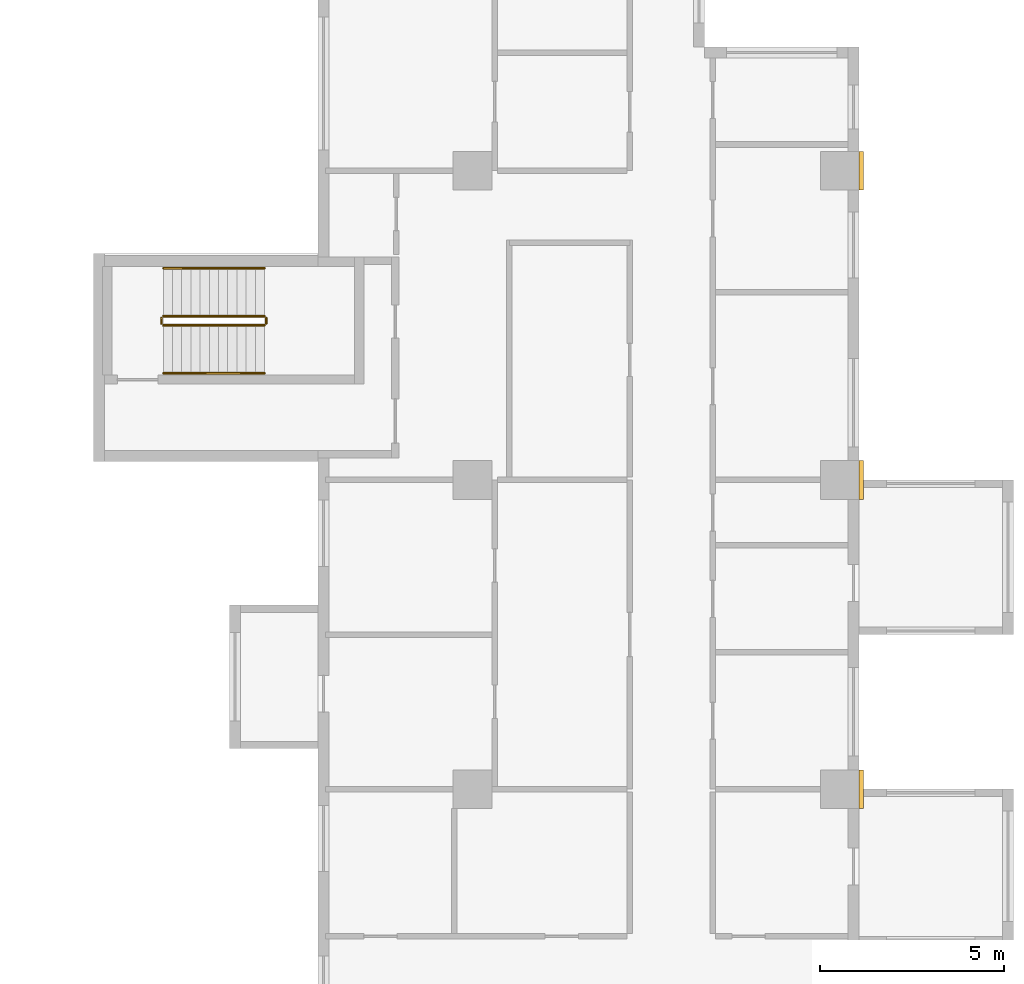
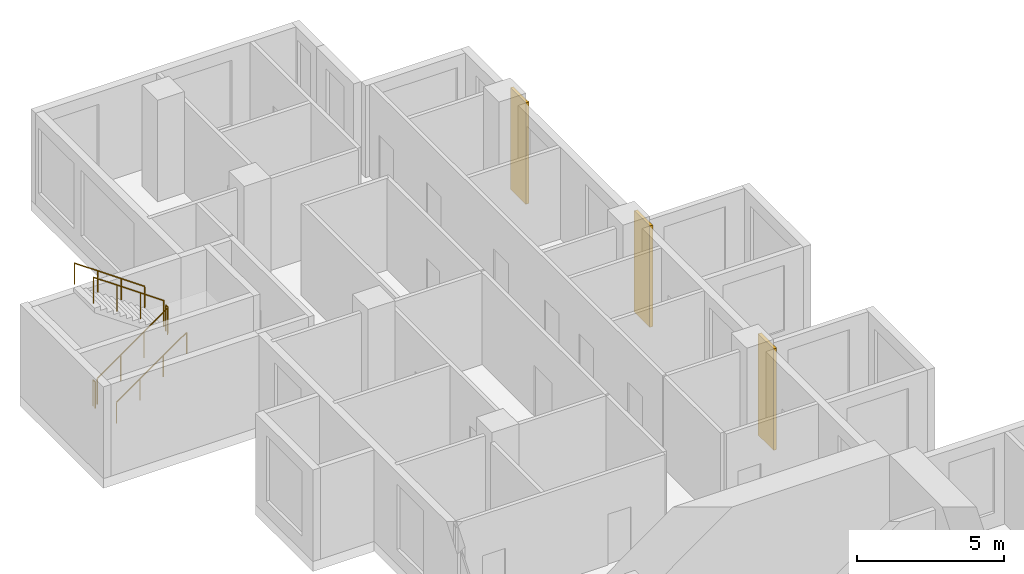
# One storey, part 14 of 15: 6 railings, 3 coverings.
"""IFC4 building model written with IfcOpenShell, lengths in metres."""

from ifc_helpers import new_model, si_unit, direction, frame, origin, origin_2d, place, context, subcontext, project, spatial, rectangle, circle, extrude, source, transform, mapped, material, type_object, element, save


model = new_model("IFC4")

# Units and contexts
model_context = context("Model", 3, precision=1e-05, world=origin(), true_north=direction((0.0, 1.0)))
body_context = subcontext(model_context, "Body", "Model", "MODEL_VIEW")
ifc_project = project(units=[si_unit("LENGTHUNIT", "METRE"), si_unit("AREAUNIT", "SQUARE_METRE"), si_unit("VOLUMEUNIT", "CUBIC_METRE"), si_unit("PLANEANGLEUNIT", "RADIAN"), si_unit("MASSUNIT", "GRAM", prefix="KILO")], contexts=[model_context])

# Site, building, storey
site_placement = place(None, origin())
site = spatial("IfcSite", under=ifc_project, at=site_placement, CompositionType="ELEMENT")
building_placement = place(site_placement, origin())
building = spatial("IfcBuilding", under=site, at=building_placement, Name="Aurelian Terraces", CompositionType="ELEMENT")
storey_placement = place(building_placement, frame((0.0, 0.0, 107.7)))
storey = spatial("IfcBuildingStorey", under=building, at=storey_placement, Name="L23", CompositionType="ELEMENT", Elevation=107.7)

# Coverings
ifc_material_1 = material(Name="Terracotta rainscreen cladding relief", Category="masonry")
covering_type = type_object("IfcCoveringType", Name="BAGUETTE-TC", PredefinedType="CLADDING", material=ifc_material_1)
shared_shape_1 = source(origin(), body_context, "Body", "SweptSolid", [
    extrude(rectangle(XDim=0.12, YDim=1.05, at=origin_2d()), origin(), (0.0, 0.0, 1.0), 4.2),
])
for number, where, z_axis, x_axis, name in (
    (1, (21.06, 29.4, -0.4), (0.0, 0.0, 1.0), (1.0, 0.0, 0.0), "BAGUETTE pier L23 10"),
    (2, (21.06, 37.8, -0.4), (0.0, 0.0, 1.0), (1.0, 0.0, 0.0), "BAGUETTE pier L23 11"),
    (3, (21.06, 46.2, -0.4), (0.0, 0.0, 1.0), (1.0, 0.0, 0.0), "BAGUETTE pier L23 12"),
):
    element("IfcCovering", number, at=place(storey_placement, frame(where, z_axis=z_axis, x_axis=x_axis)), inside=storey, type_object=covering_type, Name=name, PredefinedType="CLADDING", context=body_context, shape_type="MappedRepresentation", body=[
        mapped(shared_shape_1, transform((0.0, 0.0, 0.0), scale=1.0)),
    ])

# Railings
ifc_material_2 = material(Name="Stainless steel", Category="steel")
railing_type_1 = type_object("IfcRailingType", Name="Stair guard 1100", PredefinedType="GUARDRAIL", material=ifc_material_2)
shared_shape_2 = source(origin(), body_context, "Body", "SweptSolid", [
    extrude(circle(Radius=0.024, at=origin_2d()), frame((0.0, 0.0, 1.076), z_axis=(0.0, 1.0, 0.0), x_axis=(-1.0, 0.0, 0.0)), (0.0, 0.0, 1.0), 0.15),
    extrude(circle(Radius=0.021, at=origin_2d()), origin(), (0.0, 0.0, 1.0), 1.052),
    extrude(circle(Radius=0.021, at=origin_2d()), frame((0.0, 0.15, 0.0)), (0.0, 0.0, 1.0), 1.052),
])
for number, where, name in (
    (4, (4.9, 42.05, 2.1), "L23 S3 stair guard 2"),
    (5, (2.05, 42.05, 0.0), "L23 S3 stair guard 4"),
):
    element("IfcRailing", number, at=place(storey_placement, frame(where)), inside=storey, type_object=railing_type_1, Name=name, PredefinedType="GUARDRAIL", context=body_context, shape_type="MappedRepresentation", body=[
        mapped(shared_shape_2, transform((0.0, 0.0, 0.0), scale=1.0)),
    ])
shared_shape_3 = source(origin(), body_context, "Body", "SweptSolid", [
    extrude(circle(Radius=0.024, at=origin_2d()), frame((0.0, 0.0, 1.076), z_axis=(0.819231920519, 0.0, 0.573462344363), x_axis=(0.0, 1.0, 0.0)), (0.0, 0.0, 1.0), 3.3568),
    extrude(circle(Radius=0.021, at=origin_2d()), origin(), (0.0, 0.0, 1.0), 1.052),
    extrude(circle(Radius=0.021, at=origin_2d()), frame((0.9167, 0.0, 0.6417)), (0.0, 0.0, 1.0), 1.052),
    extrude(circle(Radius=0.021, at=origin_2d()), frame((1.8333, 0.0, 1.2833)), (0.0, 0.0, 1.0), 1.052),
    extrude(circle(Radius=0.021, at=origin_2d()), frame((2.75, 0.0, 1.925)), (0.0, 0.0, 1.0), 1.052),
])
railing_1_placement = place(storey_placement, frame((2.1, 42.0, 0.175)))
element("IfcRailing", 6, at=railing_1_placement, inside=storey, type_object=railing_type_1, Name="L23 S3 stair guard 1", PredefinedType="GUARDRAIL", context=body_context, shape_type="MappedRepresentation", body=[
    mapped(shared_shape_3, transform((0.0, 0.0, 0.0), scale=1.0)),
])
shared_shape_4 = source(origin(), body_context, "Body", "SweptSolid", [
    extrude(circle(Radius=0.024, at=origin_2d()), frame((0.0, 0.0, 1.076), z_axis=(-0.819231920519, 0.0, 0.573462344363), x_axis=(0.0, -1.0, 0.0)), (0.0, 0.0, 1.0), 3.3568),
    extrude(circle(Radius=0.021, at=origin_2d()), origin(), (0.0, 0.0, 1.0), 1.052),
    extrude(circle(Radius=0.021, at=origin_2d()), frame((-0.9167, 0.0, 0.6417)), (0.0, 0.0, 1.0), 1.052),
    extrude(circle(Radius=0.021, at=origin_2d()), frame((-1.8333, 0.0, 1.2833)), (0.0, 0.0, 1.0), 1.052),
    extrude(circle(Radius=0.021, at=origin_2d()), frame((-2.75, 0.0, 1.925)), (0.0, 0.0, 1.0), 1.052),
])
railing_2_placement = place(storey_placement, frame((4.85, 42.25, 2.275)))
element("IfcRailing", 7, at=railing_2_placement, inside=storey, type_object=railing_type_1, Name="L23 S3 stair guard 3", PredefinedType="GUARDRAIL", context=body_context, shape_type="MappedRepresentation", body=[
    mapped(shared_shape_4, transform((0.0, 0.0, 0.0), scale=1.0)),
])
railing_type_2 = type_object("IfcRailingType", Name="Stair handrail", PredefinedType="HANDRAIL", material=ifc_material_2)
shared_shape_5 = source(origin(), body_context, "Body", "SweptSolid", [
    extrude(circle(Radius=0.024, at=origin_2d()), frame((0.0, 0.0, 0.876), z_axis=(0.819231920519, 0.0, 0.573462344363), x_axis=(0.0, 1.0, 0.0)), (0.0, 0.0, 1.0), 3.3568),
    extrude(circle(Radius=0.021, at=origin_2d()), origin(), (0.0, 0.0, 1.0), 0.852),
    extrude(circle(Radius=0.021, at=origin_2d()), frame((0.9167, 0.0, 0.6417)), (0.0, 0.0, 1.0), 0.852),
    extrude(circle(Radius=0.021, at=origin_2d()), frame((1.8333, 0.0, 1.2833)), (0.0, 0.0, 1.0), 0.852),
    extrude(circle(Radius=0.021, at=origin_2d()), frame((2.75, 0.0, 1.925)), (0.0, 0.0, 1.0), 0.852),
])
railing_3_placement = place(storey_placement, frame((2.1, 40.7, 0.175)))
element("IfcRailing", 8, at=railing_3_placement, inside=storey, type_object=railing_type_2, Name="L23 S3 stair handrail 1", PredefinedType="HANDRAIL", context=body_context, shape_type="MappedRepresentation", body=[
    mapped(shared_shape_5, transform((0.0, 0.0, 0.0), scale=1.0)),
])
shared_shape_6 = source(origin(), body_context, "Body", "SweptSolid", [
    extrude(circle(Radius=0.024, at=origin_2d()), frame((0.0, 0.0, 0.876), z_axis=(-0.819231920519, 0.0, 0.573462344363), x_axis=(0.0, -1.0, 0.0)), (0.0, 0.0, 1.0), 3.3568),
    extrude(circle(Radius=0.021, at=origin_2d()), origin(), (0.0, 0.0, 1.0), 0.852),
    extrude(circle(Radius=0.021, at=origin_2d()), frame((-0.9167, 0.0, 0.6417)), (0.0, 0.0, 1.0), 0.852),
    extrude(circle(Radius=0.021, at=origin_2d()), frame((-1.8333, 0.0, 1.2833)), (0.0, 0.0, 1.0), 0.852),
    extrude(circle(Radius=0.021, at=origin_2d()), frame((-2.75, 0.0, 1.925)), (0.0, 0.0, 1.0), 0.852),
])
railing_4_placement = place(storey_placement, frame((4.85, 43.55, 2.275)))
element("IfcRailing", 9, at=railing_4_placement, inside=storey, type_object=railing_type_2, Name="L23 S3 stair handrail 2", PredefinedType="HANDRAIL", context=body_context, shape_type="MappedRepresentation", body=[
    mapped(shared_shape_6, transform((0.0, 0.0, 0.0), scale=1.0)),
])

save(model, "model.ifc")
